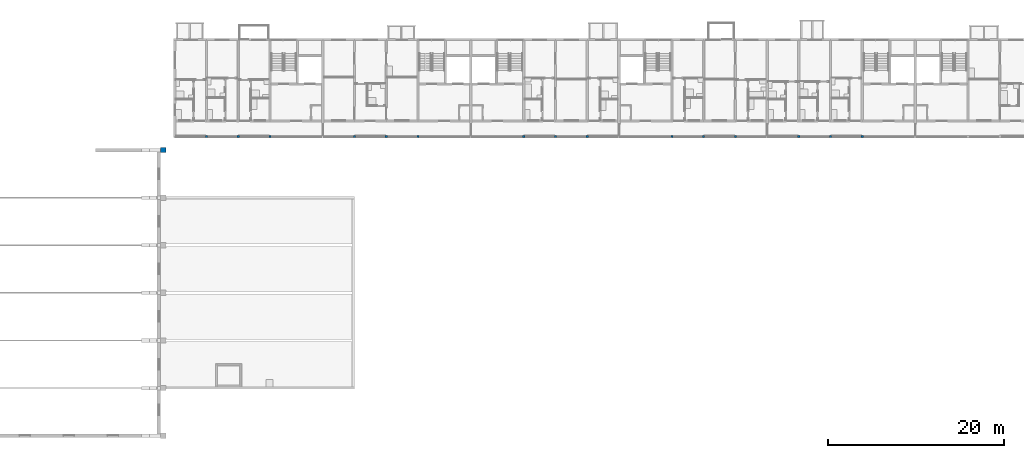
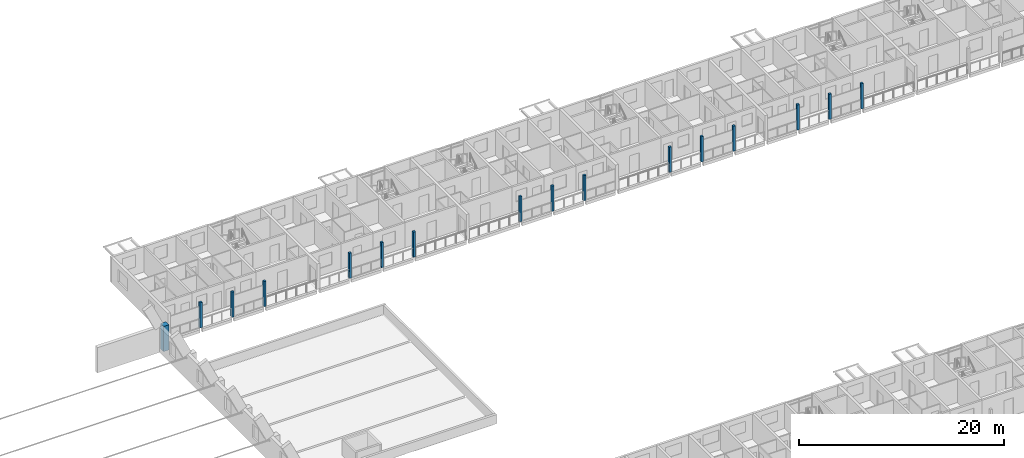
# One storey, part 8 of 115: 16 columns.
"""IFC4 building model written with IfcOpenShell, lengths in metres."""

from ifc_helpers import new_model, si_unit, direction, frame, origin, origin_2d, place, context, subcontext, project, spatial, rectangle, extrude, material, material_profile, profile_set, type_object, element, save


model = new_model("IFC4")

# Units and contexts
model_context = context("Model", 3, precision=1e-05, world=origin(), true_north=direction((0.0, 1.0)))
body_context = subcontext(model_context, "Body", "Model", "MODEL_VIEW")
ifc_project = project(units=[si_unit("LENGTHUNIT", "METRE"), si_unit("AREAUNIT", "SQUARE_METRE"), si_unit("VOLUMEUNIT", "CUBIC_METRE"), si_unit("PLANEANGLEUNIT", "RADIAN"), si_unit("MASSUNIT", "GRAM", prefix="KILO")], contexts=[model_context])

# Site, building, storey
site_placement = place(None, origin())
site = spatial("IfcSite", under=ifc_project, at=site_placement, CompositionType="ELEMENT")
building_placement = place(site_placement, origin())
building = spatial("IfcBuilding", under=site, at=building_placement, Name="Ridgestep Commons", CompositionType="ELEMENT")
storey_placement = place(building_placement, frame((0.0, 0.0, 6.0)))
storey = spatial("IfcBuildingStorey", under=building, at=storey_placement, Name="L02", CompositionType="ELEMENT", Elevation=6.0)

# Columns
ifc_material_1 = material(Name="Precast concrete C40/50", Category="concrete")
ifc_material_profile_1 = material_profile(ifc_material_1, rectangle(XDim=0.60009765625, YDim=0.60009765625, at=origin_2d()), Name="Buttress pier 600 x 600")
ifc_profile_set_1 = profile_set([ifc_material_profile_1], Name="Precast concrete C40/50")
column_type_1 = type_object("IfcColumnType", Name="Buttress pier 600 x 600", PredefinedType="COLUMN", material=ifc_profile_set_1)
column_placement = place(storey_placement, frame((145.5, 64.60009765625, 0.0), z_axis=(0.0, 0.0, 1.0), x_axis=(1.0, 0.0, 0.0)))
element("IfcColumn", 1, at=column_placement, inside=storey, type_object=column_type_1, Name="Hall vault buttress pier", PredefinedType="COLUMN", context=body_context, shape_type="SweptSolid", body=[
    extrude(rectangle(XDim=0.60009765625, YDim=0.60009765625, at=origin_2d()), origin(), (0.0, 0.0, 1.0), 3.0),
])
ifc_material_2 = material(Name="Precast concrete C40/50", Category="concrete")
ifc_material_profile_2 = material_profile(ifc_material_2, rectangle(XDim=0.25, YDim=0.25, at=origin_2d()), Name="PC 250x250")
ifc_profile_set_2 = profile_set([ifc_material_profile_2], Name="Precast concrete C40/50")
column_type_2 = type_object("IfcColumnType", Name="Loggia column 250 x 250", PredefinedType="COLUMN", material=ifc_profile_set_2)
for number, where, z_axis, x_axis, name in (
    (2, (150.39990234375, 66.125, 0.0), (0.0, 0.0, 1.0), (1.0, 0.0, 0.0), "Loggia column C L02"),
    (3, (154.0, 66.125, 0.0), (0.0, 0.0, 1.0), (1.0, 0.0, 0.0), "Loggia column C L02"),
    (4, (157.60009765625, 66.125, 0.0), (0.0, 0.0, 1.0), (1.0, 0.0, 0.0), "Loggia column C L02"),
    (5, (167.199951171875, 66.125, 0.0), (0.0, 0.0, 1.0), (1.0, 0.0, 0.0), "Loggia column C L02"),
    (6, (170.800048828125, 66.125, 0.0), (0.0, 0.0, 1.0), (1.0, 0.0, 0.0), "Loggia column C L02"),
    (7, (174.39990234375, 66.125, 0.0), (0.0, 0.0, 1.0), (1.0, 0.0, 0.0), "Loggia column C L02"),
    (8, (186.39990234375, 66.125, 0.0), (0.0, 0.0, 1.0), (1.0, 0.0, 0.0), "Loggia column C L02"),
    (9, (190.0, 66.125, 0.0), (0.0, 0.0, 1.0), (1.0, 0.0, 0.0), "Loggia column C L02"),
    (10, (193.60009765625, 66.125, 0.0), (0.0, 0.0, 1.0), (1.0, 0.0, 0.0), "Loggia column C L02"),
    (11, (203.199951171875, 66.125, 0.0), (0.0, 0.0, 1.0), (1.0, 0.0, 0.0), "Loggia column C L02"),
    (12, (206.800048828125, 66.125, 0.0), (0.0, 0.0, 1.0), (1.0, 0.0, 0.0), "Loggia column C L02"),
    (13, (210.39990234375, 66.125, 0.0), (0.0, 0.0, 1.0), (1.0, 0.0, 0.0), "Loggia column C L02"),
    (14, (217.60009765625, 66.125, 0.0), (0.0, 0.0, 1.0), (1.0, 0.0, 0.0), "Loggia column C L02"),
    (15, (221.199951171875, 66.125, 0.0), (0.0, 0.0, 1.0), (1.0, 0.0, 0.0), "Loggia column C L02"),
    (16, (224.800048828125, 66.125, 0.0), (0.0, 0.0, 1.0), (1.0, 0.0, 0.0), "Loggia column C L02"),
):
    element("IfcColumn", number, at=place(storey_placement, frame(where, z_axis=z_axis, x_axis=x_axis)), inside=storey, type_object=column_type_2, Name=name, PredefinedType="COLUMN", context=body_context, shape_type="SweptSolid", body=[
        extrude(rectangle(XDim=0.25, YDim=0.25, at=origin_2d()), origin(), (0.0, 0.0, 1.0), 3.0),
    ])

save(model, "model.ifc")
